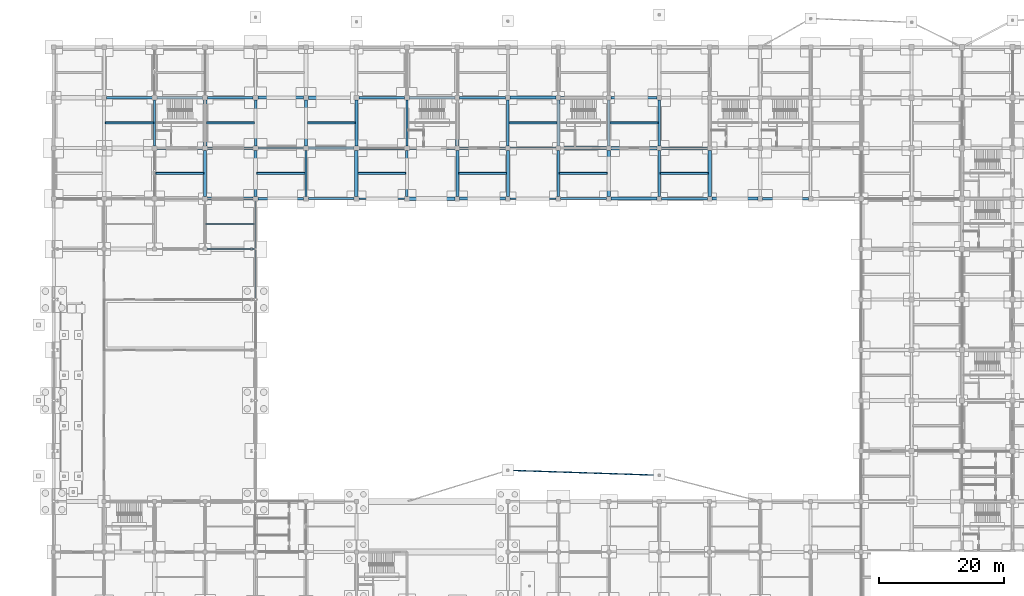
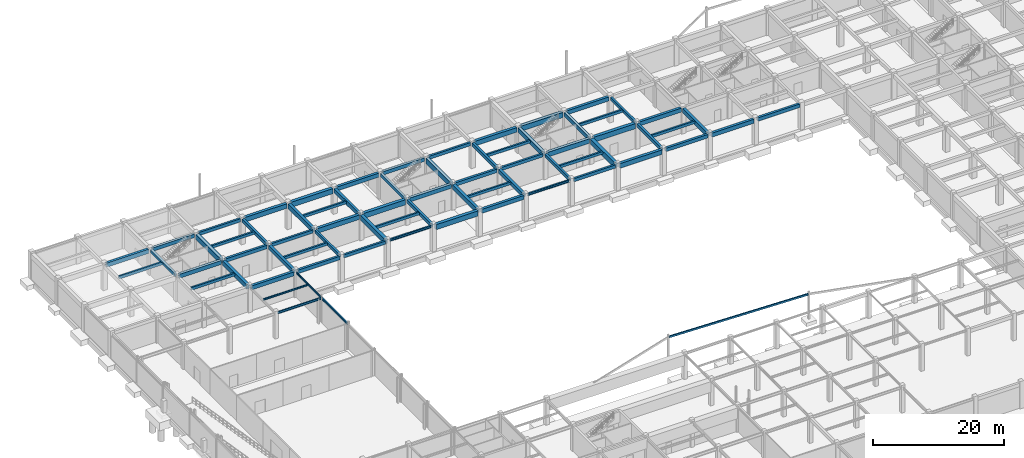
# One storey, part 39 of 67: 72 beams.
"""IFC4 building model written with IfcOpenShell, lengths in metres."""

from ifc_helpers import new_model, si_unit, direction, frame, origin, origin_2d, place, context, subcontext, project, spatial, rectangle, hollow_rectangle, i_section, extrude, material, material_profile, profile_set, type_object, element, save


model = new_model("IFC4")

# Units and contexts
model_context = context("Model", 3, precision=1e-05, world=origin(), true_north=direction((0.0, 1.0)))
body_context = subcontext(model_context, "Body", "Model", "MODEL_VIEW")
ifc_project = project(units=[si_unit("LENGTHUNIT", "METRE"), si_unit("AREAUNIT", "SQUARE_METRE"), si_unit("VOLUMEUNIT", "CUBIC_METRE"), si_unit("PLANEANGLEUNIT", "RADIAN"), si_unit("MASSUNIT", "GRAM", prefix="KILO")], contexts=[model_context])

# Site, building, storey
site_placement = place(None, origin())
site = spatial("IfcSite", under=ifc_project, at=site_placement, CompositionType="ELEMENT")
building_placement = place(site_placement, origin())
building = spatial("IfcBuilding", under=site, at=building_placement, Name="Vaudrelin Polytechnic", CompositionType="ELEMENT")
storey_placement = place(building_placement, frame((0.0, 0.0, -5.10009765625)))
storey = spatial("IfcBuildingStorey", under=building, at=storey_placement, Name="B1", CompositionType="ELEMENT", Elevation=-5.10009765625)

# Beams
ifc_material_1 = material(Name="Concrete 40 MPa", Category="concrete")
ifc_material_profile_1 = material_profile(ifc_material_1, rectangle(XDim=0.35009765625, YDim=0.60009765625, at=origin_2d()), Name="RC350x600")
ifc_profile_set_1 = profile_set([ifc_material_profile_1], Name="Concrete 40 MPa")
beam_type_1 = type_object("IfcBeamType", Name="BM-BM-RC3560", PredefinedType="BEAM", material=ifc_profile_set_1)
beam_1_placement = place(storey_placement, frame((16.199951171875, 105.659912109375, 4.47998046875), z_axis=(0.0, 1.0, 0.0), x_axis=(-1.0, 0.0, 0.0)))
element("IfcBeam", 1, at=beam_1_placement, inside=storey, type_object=beam_type_1, Name="B1 Y-beam 3-14", PredefinedType="BEAM", context=body_context, shape_type="SweptSolid", body=[
    extrude(rectangle(XDim=0.35009765625, YDim=0.60009765625, at=origin_2d()), origin(), (0.0, 0.0, 1.0), 7.380126953125),
])
beam_2_placement = place(storey_placement, frame((40.5, 97.56005859375, 4.47998046875), z_axis=(0.0, 1.0, 0.0), x_axis=(-1.0, 0.0, 0.0)))
element("IfcBeam", 2, at=beam_2_placement, inside=storey, type_object=beam_type_1, Name="B1 Y-beam 6-13", PredefinedType="BEAM", context=body_context, shape_type="SweptSolid", body=[
    extrude(rectangle(XDim=0.35009765625, YDim=0.60009765625, at=origin_2d()), origin(), (0.0, 0.0, 1.0), 7.3798828125),
])
beam_3_placement = place(storey_placement, frame((56.699951171875, 105.659912109375, 4.47998046875), z_axis=(0.0, 1.0, 0.0), x_axis=(-1.0, 0.0, 0.0)))
element("IfcBeam", 3, at=beam_3_placement, inside=storey, type_object=beam_type_1, Name="B1 Y-beam 8-14", PredefinedType="BEAM", context=body_context, shape_type="SweptSolid", body=[
    extrude(rectangle(XDim=0.35009765625, YDim=0.60009765625, at=origin_2d()), origin(), (0.0, 0.0, 1.0), 7.380126953125),
])
beam_4_placement = place(storey_placement, frame((81.0, 97.56005859375, 4.47998046875), z_axis=(0.0, 1.0, 0.0), x_axis=(-1.0, 0.0, 0.0)))
element("IfcBeam", 4, at=beam_4_placement, inside=storey, type_object=beam_type_1, Name="B1 Y-beam 11-13", PredefinedType="BEAM", context=body_context, shape_type="SweptSolid", body=[
    extrude(rectangle(XDim=0.35009765625, YDim=0.60009765625, at=origin_2d()), origin(), (0.0, 0.0, 1.0), 7.3798828125),
])
beam_5_placement = place(storey_placement, frame((97.199951171875, 105.659912109375, 4.47998046875), z_axis=(0.0, 1.0, 0.0), x_axis=(-1.0, 0.0, 0.0)))
element("IfcBeam", 5, at=beam_5_placement, inside=storey, type_object=beam_type_1, Name="B1 Y-beam 13-14", PredefinedType="BEAM", context=body_context, shape_type="SweptSolid", body=[
    extrude(rectangle(XDim=0.35009765625, YDim=0.60009765625, at=origin_2d()), origin(), (0.0, 0.0, 1.0), 7.380126953125),
])
beam_6_placement = place(storey_placement, frame((24.6708984375, 113.39990234375, 4.47998046875), z_axis=(1.0, 0.0, 0.0), x_axis=(0.0, 1.0, 0.0)))
element("IfcBeam", 6, at=beam_6_placement, inside=storey, type_object=beam_type_1, Name="B1 X-beam 4-15", PredefinedType="BEAM", context=body_context, shape_type="SweptSolid", body=[
    extrude(rectangle(XDim=0.35009765625, YDim=0.60009765625, at=origin_2d()), origin(), (0.0, 0.0, 1.0), 7.358154296875),
])
for number, where, z_axis, x_axis, name in (
    (7, (32.77099609375, 105.300048828125, 4.47998046875), (1.0, 0.0, 0.0), (0.0, 1.0, 0.0), "B1 X-beam 5-14"),
    (8, (40.87109375, 97.199951171875, 4.47998046875), (1.0, 0.0, 0.0), (0.0, 1.0, 0.0), "B1 X-beam 6-13"),
):
    element("IfcBeam", number, at=place(storey_placement, frame(where, z_axis=z_axis, x_axis=x_axis)), inside=storey, type_object=beam_type_1, Name=name, PredefinedType="BEAM", context=body_context, shape_type="SweptSolid", body=[
        extrude(rectangle(XDim=0.35009765625, YDim=0.60009765625, at=origin_2d()), origin(), (0.0, 0.0, 1.0), 7.35791015625),
    ])
beam_7_placement = place(storey_placement, frame((65.1708984375, 113.39990234375, 4.47998046875), z_axis=(1.0, 0.0, 0.0), x_axis=(0.0, 1.0, 0.0)))
element("IfcBeam", 9, at=beam_7_placement, inside=storey, type_object=beam_type_1, Name="B1 X-beam 9-15", PredefinedType="BEAM", context=body_context, shape_type="SweptSolid", body=[
    extrude(rectangle(XDim=0.35009765625, YDim=0.60009765625, at=origin_2d()), origin(), (0.0, 0.0, 1.0), 7.358154296875),
])
for number, where, z_axis, x_axis, name in (
    (10, (73.27099609375, 105.300048828125, 4.47998046875), (1.0, 0.0, 0.0), (0.0, 1.0, 0.0), "B1 X-beam 10-14"),
    (11, (81.37109375, 97.199951171875, 4.47998046875), (1.0, 0.0, 0.0), (0.0, 1.0, 0.0), "B1 X-beam 11-13"),
):
    element("IfcBeam", number, at=place(storey_placement, frame(where, z_axis=z_axis, x_axis=x_axis)), inside=storey, type_object=beam_type_1, Name=name, PredefinedType="BEAM", context=body_context, shape_type="SweptSolid", body=[
        extrude(rectangle(XDim=0.35009765625, YDim=0.60009765625, at=origin_2d()), origin(), (0.0, 0.0, 1.0), 7.35791015625),
    ])
ifc_material_profile_2 = material_profile(ifc_material_1, rectangle(XDim=0.39990234375, YDim=0.64990234375, at=origin_2d()), Name="RC400x650")
ifc_profile_set_2 = profile_set([ifc_material_profile_2], Name="Concrete 40 MPa")
beam_type_2 = type_object("IfcBeamType", Name="BM-BM-RC4065", PredefinedType="BEAM", material=ifc_profile_set_2)
beam_8_placement = place(storey_placement, frame((32.39990234375, 105.659912109375, 4.455078125), z_axis=(0.0, 1.0, 0.0), x_axis=(-1.0, 0.0, 0.0)))
element("IfcBeam", 12, at=beam_8_placement, inside=storey, type_object=beam_type_2, Name="B1 Y-beam 5-14", PredefinedType="BEAM", context=body_context, shape_type="SweptSolid", body=[
    extrude(rectangle(XDim=0.39990234375, YDim=0.64990234375, at=origin_2d()), origin(), (0.0, 0.0, 1.0), 7.380126953125),
])
beam_9_placement = place(storey_placement, frame((56.699951171875, 97.56005859375, 4.455078125), z_axis=(0.0, 1.0, 0.0), x_axis=(-1.0, 0.0, 0.0)))
element("IfcBeam", 13, at=beam_9_placement, inside=storey, type_object=beam_type_2, Name="B1 Y-beam 8-13", PredefinedType="BEAM", context=body_context, shape_type="SweptSolid", body=[
    extrude(rectangle(XDim=0.39990234375, YDim=0.64990234375, at=origin_2d()), origin(), (0.0, 0.0, 1.0), 7.3798828125),
])
beam_10_placement = place(storey_placement, frame((72.89990234375, 105.659912109375, 4.455078125), z_axis=(0.0, 1.0, 0.0), x_axis=(-1.0, 0.0, 0.0)))
element("IfcBeam", 14, at=beam_10_placement, inside=storey, type_object=beam_type_2, Name="B1 Y-beam 10-14", PredefinedType="BEAM", context=body_context, shape_type="SweptSolid", body=[
    extrude(rectangle(XDim=0.39990234375, YDim=0.64990234375, at=origin_2d()), origin(), (0.0, 0.0, 1.0), 7.380126953125),
])
beam_11_placement = place(storey_placement, frame((97.199951171875, 97.56005859375, 4.455078125), z_axis=(0.0, 1.0, 0.0), x_axis=(-1.0, 0.0, 0.0)))
element("IfcBeam", 15, at=beam_11_placement, inside=storey, type_object=beam_type_2, Name="B1 Y-beam 13-13", PredefinedType="BEAM", context=body_context, shape_type="SweptSolid", body=[
    extrude(rectangle(XDim=0.39990234375, YDim=0.64990234375, at=origin_2d()), origin(), (0.0, 0.0, 1.0), 7.3798828125),
])
beam_12_placement = place(storey_placement, frame((16.571044921875, 113.39990234375, 4.455078125), z_axis=(1.0, 0.0, 0.0), x_axis=(0.0, 1.0, 0.0)))
element("IfcBeam", 16, at=beam_12_placement, inside=storey, type_object=beam_type_2, Name="B1 X-beam 3-15", PredefinedType="BEAM", context=body_context, shape_type="SweptSolid", body=[
    extrude(rectangle(XDim=0.39990234375, YDim=0.64990234375, at=origin_2d()), origin(), (0.0, 0.0, 1.0), 7.35791015625),
])
beam_13_placement = place(storey_placement, frame((24.6708984375, 105.300048828125, 4.455078125), z_axis=(1.0, 0.0, 0.0), x_axis=(0.0, 1.0, 0.0)))
element("IfcBeam", 17, at=beam_13_placement, inside=storey, type_object=beam_type_2, Name="B1 X-beam 4-14", PredefinedType="BEAM", context=body_context, shape_type="SweptSolid", body=[
    extrude(rectangle(XDim=0.39990234375, YDim=0.64990234375, at=origin_2d()), origin(), (0.0, 0.0, 1.0), 7.358154296875),
])
for number, where, z_axis, x_axis, name in (
    (18, (32.77099609375, 97.199951171875, 4.455078125), (1.0, 0.0, 0.0), (0.0, 1.0, 0.0), "B1 X-beam 5-13"),
    (19, (57.071044921875, 113.39990234375, 4.455078125), (1.0, 0.0, 0.0), (0.0, 1.0, 0.0), "B1 X-beam 8-15"),
):
    element("IfcBeam", number, at=place(storey_placement, frame(where, z_axis=z_axis, x_axis=x_axis)), inside=storey, type_object=beam_type_2, Name=name, PredefinedType="BEAM", context=body_context, shape_type="SweptSolid", body=[
        extrude(rectangle(XDim=0.39990234375, YDim=0.64990234375, at=origin_2d()), origin(), (0.0, 0.0, 1.0), 7.35791015625),
    ])
beam_14_placement = place(storey_placement, frame((65.1708984375, 105.300048828125, 4.455078125), z_axis=(1.0, 0.0, 0.0), x_axis=(0.0, 1.0, 0.0)))
element("IfcBeam", 20, at=beam_14_placement, inside=storey, type_object=beam_type_2, Name="B1 X-beam 9-14", PredefinedType="BEAM", context=body_context, shape_type="SweptSolid", body=[
    extrude(rectangle(XDim=0.39990234375, YDim=0.64990234375, at=origin_2d()), origin(), (0.0, 0.0, 1.0), 7.358154296875),
])
beam_15_placement = place(storey_placement, frame((113.77099609375, 97.199951171875, 4.455078125), z_axis=(1.0, 0.0, 0.0), x_axis=(0.0, 1.0, 0.0)))
element("IfcBeam", 21, at=beam_15_placement, inside=storey, type_object=beam_type_2, Name="B1 X-beam 15-13", PredefinedType="BEAM", context=body_context, shape_type="SweptSolid", body=[
    extrude(rectangle(XDim=0.39990234375, YDim=0.64990234375, at=origin_2d()), origin(), (0.0, 0.0, 1.0), 7.35791015625),
])
ifc_material_profile_3 = material_profile(ifc_material_1, rectangle(XDim=0.449951171875, YDim=0.75, at=origin_2d()), Name="RC450x750")
ifc_profile_set_3 = profile_set([ifc_material_profile_3], Name="Concrete 40 MPa")
beam_type_3 = type_object("IfcBeamType", Name="BM-BM-RC4575", PredefinedType="BEAM", material=ifc_profile_set_3)
beam_16_placement = place(storey_placement, frame((32.39990234375, 97.56005859375, 4.405029296875), z_axis=(0.0, 1.0, 0.0), x_axis=(-1.0, 0.0, 0.0)))
element("IfcBeam", 22, at=beam_16_placement, inside=storey, type_object=beam_type_3, Name="B1 Y-beam 5-13", PredefinedType="BEAM", context=body_context, shape_type="SweptSolid", body=[
    extrude(rectangle(XDim=0.449951171875, YDim=0.75, at=origin_2d()), origin(), (0.0, 0.0, 1.0), 7.3798828125),
])
beam_17_placement = place(storey_placement, frame((48.60009765625, 105.659912109375, 4.405029296875), z_axis=(0.0, 1.0, 0.0), x_axis=(-1.0, 0.0, 0.0)))
element("IfcBeam", 23, at=beam_17_placement, inside=storey, type_object=beam_type_3, Name="B1 Y-beam 7-14", PredefinedType="BEAM", context=body_context, shape_type="SweptSolid", body=[
    extrude(rectangle(XDim=0.449951171875, YDim=0.75, at=origin_2d()), origin(), (0.0, 0.0, 1.0), 7.380126953125),
])
beam_18_placement = place(storey_placement, frame((72.89990234375, 97.56005859375, 4.405029296875), z_axis=(0.0, 1.0, 0.0), x_axis=(-1.0, 0.0, 0.0)))
element("IfcBeam", 24, at=beam_18_placement, inside=storey, type_object=beam_type_3, Name="B1 Y-beam 10-13", PredefinedType="BEAM", context=body_context, shape_type="SweptSolid", body=[
    extrude(rectangle(XDim=0.449951171875, YDim=0.75, at=origin_2d()), origin(), (0.0, 0.0, 1.0), 7.3798828125),
])
beam_19_placement = place(storey_placement, frame((89.10009765625, 105.659912109375, 4.405029296875), z_axis=(0.0, 1.0, 0.0), x_axis=(-1.0, 0.0, 0.0)))
element("IfcBeam", 25, at=beam_19_placement, inside=storey, type_object=beam_type_3, Name="B1 Y-beam 12-14", PredefinedType="BEAM", context=body_context, shape_type="SweptSolid", body=[
    extrude(rectangle(XDim=0.449951171875, YDim=0.75, at=origin_2d()), origin(), (0.0, 0.0, 1.0), 7.380126953125),
])
beam_20_placement = place(storey_placement, frame((8.470947265625, 113.39990234375, 4.405029296875), z_axis=(1.0, 0.0, 0.0), x_axis=(0.0, 1.0, 0.0)))
element("IfcBeam", 26, at=beam_20_placement, inside=storey, type_object=beam_type_3, Name="B1 X-beam 2-15", PredefinedType="BEAM", context=body_context, shape_type="SweptSolid", body=[
    extrude(rectangle(XDim=0.449951171875, YDim=0.75, at=origin_2d()), origin(), (0.0, 0.0, 1.0), 7.358154296875),
])
beam_21_placement = place(storey_placement, frame((16.571044921875, 105.300048828125, 4.405029296875), z_axis=(1.0, 0.0, 0.0), x_axis=(0.0, 1.0, 0.0)))
element("IfcBeam", 27, at=beam_21_placement, inside=storey, type_object=beam_type_3, Name="B1 X-beam 3-14", PredefinedType="BEAM", context=body_context, shape_type="SweptSolid", body=[
    extrude(rectangle(XDim=0.449951171875, YDim=0.75, at=origin_2d()), origin(), (0.0, 0.0, 1.0), 7.35791015625),
])
for number, where, z_axis, x_axis, name in (
    (28, (24.6708984375, 97.199951171875, 4.34521484375), (1.0, 0.0, 0.0), (0.0, 1.0, 0.0), "B1 X-beam 4-13"),
    (29, (48.970947265625, 113.39990234375, 4.405029296875), (1.0, 0.0, 0.0), (0.0, 1.0, 0.0), "B1 X-beam 7-15"),
):
    element("IfcBeam", number, at=place(storey_placement, frame(where, z_axis=z_axis, x_axis=x_axis)), inside=storey, type_object=beam_type_3, Name=name, PredefinedType="BEAM", context=body_context, shape_type="SweptSolid", body=[
        extrude(rectangle(XDim=0.449951171875, YDim=0.75, at=origin_2d()), origin(), (0.0, 0.0, 1.0), 7.358154296875),
    ])
beam_22_placement = place(storey_placement, frame((57.071044921875, 105.300048828125, 4.405029296875), z_axis=(1.0, 0.0, 0.0), x_axis=(0.0, 1.0, 0.0)))
element("IfcBeam", 30, at=beam_22_placement, inside=storey, type_object=beam_type_3, Name="B1 X-beam 8-14", PredefinedType="BEAM", context=body_context, shape_type="SweptSolid", body=[
    extrude(rectangle(XDim=0.449951171875, YDim=0.75, at=origin_2d()), origin(), (0.0, 0.0, 1.0), 7.35791015625),
])
for number, where, z_axis, x_axis, name in (
    (31, (65.1708984375, 97.199951171875, 4.405029296875), (1.0, 0.0, 0.0), (0.0, 1.0, 0.0), "B1 X-beam 9-13"),
    (32, (89.470947265625, 113.39990234375, 4.405029296875), (1.0, 0.0, 0.0), (0.0, 1.0, 0.0), "B1 X-beam 12-15"),
):
    element("IfcBeam", number, at=place(storey_placement, frame(where, z_axis=z_axis, x_axis=x_axis)), inside=storey, type_object=beam_type_3, Name=name, PredefinedType="BEAM", context=body_context, shape_type="SweptSolid", body=[
        extrude(rectangle(XDim=0.449951171875, YDim=0.75, at=origin_2d()), origin(), (0.0, 0.0, 1.0), 7.358154296875),
    ])
beam_23_placement = place(storey_placement, frame((97.571044921875, 105.300048828125, 4.405029296875), z_axis=(1.0, 0.0, 0.0), x_axis=(0.0, 1.0, 0.0)))
element("IfcBeam", 33, at=beam_23_placement, inside=storey, type_object=beam_type_3, Name="B1 X-beam 13-14", PredefinedType="BEAM", context=body_context, shape_type="SweptSolid", body=[
    extrude(rectangle(XDim=0.449951171875, YDim=0.75, at=origin_2d()), origin(), (0.0, 0.0, 1.0), 7.35791015625),
])
beam_24_placement = place(storey_placement, frame((105.6708984375, 97.199951171875, 4.405029296875), z_axis=(1.0, 0.0, 0.0), x_axis=(0.0, 1.0, 0.0)))
element("IfcBeam", 34, at=beam_24_placement, inside=storey, type_object=beam_type_3, Name="B1 X-beam 14-13", PredefinedType="BEAM", context=body_context, shape_type="SweptSolid", body=[
    extrude(rectangle(XDim=0.449951171875, YDim=0.75, at=origin_2d()), origin(), (0.0, 0.0, 1.0), 7.358154296875),
])
ifc_material_profile_4 = material_profile(ifc_material_1, rectangle(XDim=0.5, YDim=0.85009765625, at=origin_2d()), Name="RC500x850")
ifc_profile_set_4 = profile_set([ifc_material_profile_4], Name="Concrete 40 MPa")
beam_type_4 = type_object("IfcBeamType", Name="BM-BM-RC5085", PredefinedType="BEAM", material=ifc_profile_set_4)
beam_25_placement = place(storey_placement, frame((24.300048828125, 97.56005859375, 4.35498046875), z_axis=(0.0, 1.0, 0.0), x_axis=(-1.0, 0.0, 0.0)))
element("IfcBeam", 35, at=beam_25_placement, inside=storey, type_object=beam_type_4, Name="B1 Y-beam 4-13", PredefinedType="BEAM", context=body_context, shape_type="SweptSolid", body=[
    extrude(rectangle(XDim=0.5, YDim=0.85009765625, at=origin_2d()), origin(), (0.0, 0.0, 1.0), 7.3798828125),
])
beam_26_placement = place(storey_placement, frame((40.5, 105.659912109375, 4.35498046875), z_axis=(0.0, 1.0, 0.0), x_axis=(-1.0, 0.0, 0.0)))
element("IfcBeam", 36, at=beam_26_placement, inside=storey, type_object=beam_type_4, Name="B1 Y-beam 6-14", PredefinedType="BEAM", context=body_context, shape_type="SweptSolid", body=[
    extrude(rectangle(XDim=0.5, YDim=0.85009765625, at=origin_2d()), origin(), (0.0, 0.0, 1.0), 7.380126953125),
])
beam_27_placement = place(storey_placement, frame((64.800048828125, 97.56005859375, 4.35498046875), z_axis=(0.0, 1.0, 0.0), x_axis=(-1.0, 0.0, 0.0)))
element("IfcBeam", 37, at=beam_27_placement, inside=storey, type_object=beam_type_4, Name="B1 Y-beam 9-13", PredefinedType="BEAM", context=body_context, shape_type="SweptSolid", body=[
    extrude(rectangle(XDim=0.5, YDim=0.85009765625, at=origin_2d()), origin(), (0.0, 0.0, 1.0), 7.3798828125),
])
beam_28_placement = place(storey_placement, frame((81.0, 105.659912109375, 4.35498046875), z_axis=(0.0, 1.0, 0.0), x_axis=(-1.0, 0.0, 0.0)))
element("IfcBeam", 38, at=beam_28_placement, inside=storey, type_object=beam_type_4, Name="B1 Y-beam 11-14", PredefinedType="BEAM", context=body_context, shape_type="SweptSolid", body=[
    extrude(rectangle(XDim=0.5, YDim=0.85009765625, at=origin_2d()), origin(), (0.0, 0.0, 1.0), 7.380126953125),
])
beam_29_placement = place(storey_placement, frame((105.300048828125, 97.56005859375, 4.35498046875), z_axis=(0.0, 1.0, 0.0), x_axis=(-1.0, 0.0, 0.0)))
element("IfcBeam", 39, at=beam_29_placement, inside=storey, type_object=beam_type_4, Name="B1 Y-beam 14-13", PredefinedType="BEAM", context=body_context, shape_type="SweptSolid", body=[
    extrude(rectangle(XDim=0.5, YDim=0.85009765625, at=origin_2d()), origin(), (0.0, 0.0, 1.0), 7.3798828125),
])
for number, where, z_axis, x_axis, name in (
    (40, (32.77099609375, 113.39990234375, 4.35498046875), (1.0, 0.0, 0.0), (0.0, 1.0, 0.0), "B1 X-beam 5-15"),
    (41, (40.87109375, 105.300048828125, 4.35498046875), (1.0, 0.0, 0.0), (0.0, 1.0, 0.0), "B1 X-beam 6-14"),
    (42, (73.27099609375, 113.39990234375, 4.35498046875), (1.0, 0.0, 0.0), (0.0, 1.0, 0.0), "B1 X-beam 10-15"),
    (43, (81.37109375, 105.300048828125, 4.35498046875), (1.0, 0.0, 0.0), (0.0, 1.0, 0.0), "B1 X-beam 11-14"),
):
    element("IfcBeam", number, at=place(storey_placement, frame(where, z_axis=z_axis, x_axis=x_axis)), inside=storey, type_object=beam_type_4, Name=name, PredefinedType="BEAM", context=body_context, shape_type="SweptSolid", body=[
        extrude(rectangle(XDim=0.5, YDim=0.85009765625, at=origin_2d()), origin(), (0.0, 0.0, 1.0), 7.35791015625),
    ])
beam_30_placement = place(storey_placement, frame((89.470947265625, 97.199951171875, 4.35498046875), z_axis=(1.0, 0.0, 0.0), x_axis=(0.0, 1.0, 0.0)))
element("IfcBeam", 44, at=beam_30_placement, inside=storey, type_object=beam_type_4, Name="B1 X-beam 12-13", PredefinedType="BEAM", context=body_context, shape_type="SweptSolid", body=[
    extrude(rectangle(XDim=0.5, YDim=0.85009765625, at=origin_2d()), origin(), (0.0, 0.0, 1.0), 7.358154296875),
])
ifc_material_2 = material(Name="Concrete 50 MPa", Category="concrete")
ifc_material_profile_5 = material_profile(ifc_material_2, rectangle(XDim=0.550048828125, YDim=0.949951171875, at=origin_2d()), Name="RC550x950")
ifc_profile_set_5 = profile_set([ifc_material_profile_5], Name="Concrete 50 MPa")
beam_type_5 = type_object("IfcBeamType", Name="BM-BM-RC5595", PredefinedType="BEAM", material=ifc_profile_set_5)
beam_31_placement = place(storey_placement, frame((24.300048828125, 105.659912109375, 4.30517578125), z_axis=(0.0, 1.0, 0.0), x_axis=(-1.0, 0.0, 0.0)))
element("IfcBeam", 45, at=beam_31_placement, inside=storey, type_object=beam_type_5, Name="B1 Y-beam 4-14", PredefinedType="BEAM", context=body_context, shape_type="SweptSolid", body=[
    extrude(rectangle(XDim=0.550048828125, YDim=0.949951171875, at=origin_2d()), origin(), (0.0, 0.0, 1.0), 7.380126953125),
])
beam_32_placement = place(storey_placement, frame((48.60009765625, 97.56005859375, 4.30517578125), z_axis=(0.0, 1.0, 0.0), x_axis=(-1.0, 0.0, 0.0)))
element("IfcBeam", 46, at=beam_32_placement, inside=storey, type_object=beam_type_5, Name="B1 Y-beam 7-13", PredefinedType="BEAM", context=body_context, shape_type="SweptSolid", body=[
    extrude(rectangle(XDim=0.550048828125, YDim=0.949951171875, at=origin_2d()), origin(), (0.0, 0.0, 1.0), 7.3798828125),
])
beam_33_placement = place(storey_placement, frame((64.800048828125, 105.659912109375, 4.30517578125), z_axis=(0.0, 1.0, 0.0), x_axis=(-1.0, 0.0, 0.0)))
element("IfcBeam", 47, at=beam_33_placement, inside=storey, type_object=beam_type_5, Name="B1 Y-beam 9-14", PredefinedType="BEAM", context=body_context, shape_type="SweptSolid", body=[
    extrude(rectangle(XDim=0.550048828125, YDim=0.949951171875, at=origin_2d()), origin(), (0.0, 0.0, 1.0), 7.380126953125),
])
beam_34_placement = place(storey_placement, frame((89.10009765625, 97.56005859375, 4.30517578125), z_axis=(0.0, 1.0, 0.0), x_axis=(-1.0, 0.0, 0.0)))
element("IfcBeam", 48, at=beam_34_placement, inside=storey, type_object=beam_type_5, Name="B1 Y-beam 12-13", PredefinedType="BEAM", context=body_context, shape_type="SweptSolid", body=[
    extrude(rectangle(XDim=0.550048828125, YDim=0.949951171875, at=origin_2d()), origin(), (0.0, 0.0, 1.0), 7.3798828125),
])
beam_35_placement = place(storey_placement, frame((40.87109375, 113.39990234375, 4.30517578125), z_axis=(1.0, 0.0, 0.0), x_axis=(0.0, 1.0, 0.0)))
element("IfcBeam", 49, at=beam_35_placement, inside=storey, type_object=beam_type_5, Name="B1 X-beam 6-15", PredefinedType="BEAM", context=body_context, shape_type="SweptSolid", body=[
    extrude(rectangle(XDim=0.550048828125, YDim=0.949951171875, at=origin_2d()), origin(), (0.0, 0.0, 1.0), 7.35791015625),
])
beam_36_placement = place(storey_placement, frame((48.970947265625, 105.300048828125, 4.30517578125), z_axis=(1.0, 0.0, 0.0), x_axis=(0.0, 1.0, 0.0)))
element("IfcBeam", 50, at=beam_36_placement, inside=storey, type_object=beam_type_5, Name="B1 X-beam 7-14", PredefinedType="BEAM", context=body_context, shape_type="SweptSolid", body=[
    extrude(rectangle(XDim=0.550048828125, YDim=0.949951171875, at=origin_2d()), origin(), (0.0, 0.0, 1.0), 7.358154296875),
])
for number, where, z_axis, x_axis, name in (
    (51, (57.071044921875, 97.199951171875, 4.30517578125), (1.0, 0.0, 0.0), (0.0, 1.0, 0.0), "B1 X-beam 8-13"),
    (52, (81.37109375, 113.39990234375, 4.30517578125), (1.0, 0.0, 0.0), (0.0, 1.0, 0.0), "B1 X-beam 11-15"),
):
    element("IfcBeam", number, at=place(storey_placement, frame(where, z_axis=z_axis, x_axis=x_axis)), inside=storey, type_object=beam_type_5, Name=name, PredefinedType="BEAM", context=body_context, shape_type="SweptSolid", body=[
        extrude(rectangle(XDim=0.550048828125, YDim=0.949951171875, at=origin_2d()), origin(), (0.0, 0.0, 1.0), 7.35791015625),
    ])
beam_37_placement = place(storey_placement, frame((89.470947265625, 105.300048828125, 4.30517578125), z_axis=(1.0, 0.0, 0.0), x_axis=(0.0, 1.0, 0.0)))
element("IfcBeam", 53, at=beam_37_placement, inside=storey, type_object=beam_type_5, Name="B1 X-beam 12-14", PredefinedType="BEAM", context=body_context, shape_type="SweptSolid", body=[
    extrude(rectangle(XDim=0.550048828125, YDim=0.949951171875, at=origin_2d()), origin(), (0.0, 0.0, 1.0), 7.358154296875),
])
ifc_material_3 = material(Name="Steel CSA G40.21 350W", Category="steel")
ifc_material_profile_6 = material_profile(ifc_material_3, i_section(OverallWidth=0.178955078125, OverallDepth=0.409912109375, WebThickness=0.0087890625, FlangeThickness=0.014404296875, FilletRadius=0.01611328125, at=origin_2d()), Name="W410x67")
ifc_profile_set_6 = profile_set([ifc_material_profile_6], Name="Steel CSA G40.21 350W")
beam_type_6 = type_object("IfcBeamType", Name="BM-BM-W410", PredefinedType="BEAM", material=ifc_profile_set_6)
beam_38_placement = place(storey_placement, frame((32.39990234375, 81.239013671875, 4.51513671875), z_axis=(0.0, 1.0, 0.0), x_axis=(-1.0, 0.0, 0.0)))
element("IfcBeam", 54, at=beam_38_placement, inside=storey, type_object=beam_type_6, Name="B1 Y-beam 5-11", PredefinedType="BEAM", context=body_context, shape_type="SweptSolid", body=[
    extrude(i_section(OverallWidth=0.178955078125, OverallDepth=0.409912109375, WebThickness=0.0087890625, FlangeThickness=0.014404296875, FilletRadius=0.01611328125, at=origin_2d()), origin(), (0.0, 0.0, 1.0), 7.699462890625),
])
beam_39_placement = place(storey_placement, frame((24.62109375, 89.10009765625, 4.51513671875), z_axis=(1.0, 0.0, 0.0), x_axis=(0.0, 1.0, 0.0)))
element("IfcBeam", 55, at=beam_39_placement, inside=storey, type_object=beam_type_6, Name="B1 X-beam 4-12", PredefinedType="BEAM", context=body_context, shape_type="SweptSolid", body=[
    extrude(i_section(OverallWidth=0.178955078125, OverallDepth=0.409912109375, WebThickness=0.0087890625, FlangeThickness=0.014404296875, FilletRadius=0.01611328125, at=origin_2d()), origin(), (0.0, 0.0, 1.0), 7.656005859375),
])
ifc_material_4 = material(Name="Steel CSA G40.21 350WT", Category="steel")
ifc_material_profile_7 = material_profile(ifc_material_4, i_section(OverallWidth=0.260009765625, OverallDepth=0.4150390625, WebThickness=0.010009765625, FlangeThickness=0.016845703125, FilletRadius=0.01611328125, at=origin_2d()), Name="W410x100")
ifc_profile_set_7 = profile_set([ifc_material_profile_7], Name="Steel CSA G40.21 350WT")
beam_type_7 = type_object("IfcBeamType", Name="BM-BM-W410H", PredefinedType="SPANDREL", material=ifc_profile_set_7)
beam_40_placement = place(storey_placement, frame((48.970947265625, 97.199951171875, 4.572509765625), z_axis=(1.0, 0.0, 0.0), x_axis=(0.0, 1.0, 0.0)))
element("IfcBeam", 56, at=beam_40_placement, inside=storey, type_object=beam_type_7, Name="B1 X-beam 7-13", PredefinedType="SPANDREL", context=body_context, shape_type="SweptSolid", body=[
    extrude(i_section(OverallWidth=0.260009765625, OverallDepth=0.4150390625, WebThickness=0.010009765625, FlangeThickness=0.016845703125, FilletRadius=0.01611328125, at=origin_2d()), origin(), (0.0, 0.0, 1.0), 7.358154296875),
])
beam_41_placement = place(storey_placement, frame((73.27099609375, 97.199951171875, 4.572509765625), z_axis=(1.0, 0.0, 0.0), x_axis=(0.0, 1.0, 0.0)))
element("IfcBeam", 57, at=beam_41_placement, inside=storey, type_object=beam_type_7, Name="B1 X-beam 10-13", PredefinedType="SPANDREL", context=body_context, shape_type="SweptSolid", body=[
    extrude(i_section(OverallWidth=0.260009765625, OverallDepth=0.4150390625, WebThickness=0.010009765625, FlangeThickness=0.016845703125, FilletRadius=0.01611328125, at=origin_2d()), origin(), (0.0, 0.0, 1.0), 7.35791015625),
])
ifc_material_profile_8 = material_profile(ifc_material_1, rectangle(XDim=0.300048828125, YDim=0.5, at=origin_2d()), Name="RC300x500")
ifc_profile_set_8 = profile_set([ifc_material_profile_8], Name="Concrete 40 MPa")
beam_type_8 = type_object("IfcBeamType", Name="BM-JS-RC3050", PredefinedType="JOIST", material=ifc_profile_set_8)
beam_42_placement = place(storey_placement, frame((8.321044921875, 109.35009765625, 4.530029296875), z_axis=(1.0, 0.0, 0.0), x_axis=(0.0, 1.0, 0.0)))
element("IfcBeam", 58, at=beam_42_placement, inside=storey, type_object=beam_type_8, Name="B1 floor joist 2-14", PredefinedType="JOIST", context=body_context, shape_type="SweptSolid", body=[
    extrude(rectangle(XDim=0.300048828125, YDim=0.5, at=origin_2d()), origin(), (0.0, 0.0, 1.0), 7.7080078125),
])
beam_43_placement = place(storey_placement, frame((16.39599609375, 101.25, 4.530029296875), z_axis=(1.0, 0.0, 0.0), x_axis=(0.0, 1.0, 0.0)))
element("IfcBeam", 59, at=beam_43_placement, inside=storey, type_object=beam_type_8, Name="B1 floor joist 3-13", PredefinedType="JOIST", context=body_context, shape_type="SweptSolid", body=[
    extrude(rectangle(XDim=0.300048828125, YDim=0.5, at=origin_2d()), origin(), (0.0, 0.0, 1.0), 7.657958984375),
])
beam_44_placement = place(storey_placement, frame((24.571044921875, 109.35009765625, 4.530029296875), z_axis=(1.0, 0.0, 0.0), x_axis=(0.0, 1.0, 0.0)))
element("IfcBeam", 60, at=beam_44_placement, inside=storey, type_object=beam_type_8, Name="B1 floor joist 4-14", PredefinedType="JOIST", context=body_context, shape_type="SweptSolid", body=[
    extrude(rectangle(XDim=0.300048828125, YDim=0.5, at=origin_2d()), origin(), (0.0, 0.0, 1.0), 7.633056640625),
])
beam_45_placement = place(storey_placement, frame((32.62109375, 101.25, 4.530029296875), z_axis=(1.0, 0.0, 0.0), x_axis=(0.0, 1.0, 0.0)))
element("IfcBeam", 61, at=beam_45_placement, inside=storey, type_object=beam_type_8, Name="B1 floor joist 5-13", PredefinedType="JOIST", context=body_context, shape_type="SweptSolid", body=[
    extrude(rectangle(XDim=0.300048828125, YDim=0.5, at=origin_2d()), origin(), (0.0, 0.0, 1.0), 7.7080078125),
])
for number, where, z_axis, x_axis, name in (
    (62, (40.74609375, 109.35009765625, 4.530029296875), (1.0, 0.0, 0.0), (0.0, 1.0, 0.0), "B1 floor joist 6-14"),
    (63, (48.87109375, 101.25, 4.530029296875), (1.0, 0.0, 0.0), (0.0, 1.0, 0.0), "B1 floor joist 7-13"),
):
    element("IfcBeam", number, at=place(storey_placement, frame(where, z_axis=z_axis, x_axis=x_axis)), inside=storey, type_object=beam_type_8, Name=name, PredefinedType="JOIST", context=body_context, shape_type="SweptSolid", body=[
        extrude(rectangle(XDim=0.300048828125, YDim=0.5, at=origin_2d()), origin(), (0.0, 0.0, 1.0), 7.6328125),
    ])
beam_46_placement = place(storey_placement, frame((65.0458984375, 101.25, 4.530029296875), z_axis=(1.0, 0.0, 0.0), x_axis=(0.0, 1.0, 0.0)))
element("IfcBeam", 64, at=beam_46_placement, inside=storey, type_object=beam_type_8, Name="B1 floor joist 9-13", PredefinedType="JOIST", context=body_context, shape_type="SweptSolid", body=[
    extrude(rectangle(XDim=0.300048828125, YDim=0.5, at=origin_2d()), origin(), (0.0, 0.0, 1.0), 7.633056640625),
])
beam_47_placement = place(storey_placement, frame((73.095947265625, 109.35009765625, 4.530029296875), z_axis=(1.0, 0.0, 0.0), x_axis=(0.0, 1.0, 0.0)))
element("IfcBeam", 65, at=beam_47_placement, inside=storey, type_object=beam_type_8, Name="B1 floor joist 10-14", PredefinedType="JOIST", context=body_context, shape_type="SweptSolid", body=[
    extrude(rectangle(XDim=0.300048828125, YDim=0.5, at=origin_2d()), origin(), (0.0, 0.0, 1.0), 7.657958984375),
])
beam_48_placement = place(storey_placement, frame((81.1708984375, 101.25, 4.530029296875), z_axis=(1.0, 0.0, 0.0), x_axis=(0.0, 1.0, 0.0)))
element("IfcBeam", 66, at=beam_48_placement, inside=storey, type_object=beam_type_8, Name="B1 floor joist 11-13", PredefinedType="JOIST", context=body_context, shape_type="SweptSolid", body=[
    extrude(rectangle(XDim=0.300048828125, YDim=0.5, at=origin_2d()), origin(), (0.0, 0.0, 1.0), 7.658203125),
])
beam_49_placement = place(storey_placement, frame((89.321044921875, 109.35009765625, 4.530029296875), z_axis=(1.0, 0.0, 0.0), x_axis=(0.0, 1.0, 0.0)))
element("IfcBeam", 67, at=beam_49_placement, inside=storey, type_object=beam_type_8, Name="B1 floor joist 12-14", PredefinedType="JOIST", context=body_context, shape_type="SweptSolid", body=[
    extrude(rectangle(XDim=0.300048828125, YDim=0.5, at=origin_2d()), origin(), (0.0, 0.0, 1.0), 7.7080078125),
])
beam_50_placement = place(storey_placement, frame((97.39599609375, 101.25, 4.530029296875), z_axis=(1.0, 0.0, 0.0), x_axis=(0.0, 1.0, 0.0)))
element("IfcBeam", 68, at=beam_50_placement, inside=storey, type_object=beam_type_8, Name="B1 floor joist 13-13", PredefinedType="JOIST", context=body_context, shape_type="SweptSolid", body=[
    extrude(rectangle(XDim=0.300048828125, YDim=0.5, at=origin_2d()), origin(), (0.0, 0.0, 1.0), 7.657958984375),
])
ifc_material_profile_9 = material_profile(ifc_material_3, i_section(OverallWidth=0.1669921875, OverallDepth=0.31689453125, WebThickness=0.007568359375, FlangeThickness=0.01318359375, FilletRadius=0.013916015625, at=origin_2d()), Name="W310x52")
ifc_profile_set_9 = profile_set([ifc_material_profile_9], Name="Steel CSA G40.21 350W")
beam_type_9 = type_object("IfcBeamType", Name="BM-JS-W310", PredefinedType="JOIST", material=ifc_profile_set_9)
beam_51_placement = place(storey_placement, frame((24.385498046875, 93.14990234375, 4.5615234375), z_axis=(1.0, 0.0, 0.0), x_axis=(0.0, 1.0, 0.0)))
element("IfcBeam", 69, at=beam_51_placement, inside=storey, type_object=beam_type_9, Name="B1 floor joist 4-12", PredefinedType="JOIST", context=body_context, shape_type="SweptSolid", body=[
    extrude(i_section(OverallWidth=0.1669921875, OverallDepth=0.31689453125, WebThickness=0.007568359375, FlangeThickness=0.01318359375, FilletRadius=0.013916015625, at=origin_2d()), origin(), (0.0, 0.0, 1.0), 7.9326171875),
])
ifc_material_profile_10 = material_profile(ifc_material_3, i_section(OverallWidth=0.172119140625, OverallDepth=0.35791015625, WebThickness=0.0078125, FlangeThickness=0.01318359375, FilletRadius=0.014892578125, at=origin_2d()), Name="W360x57")
ifc_profile_set_10 = profile_set([ifc_material_profile_10], Name="Steel CSA G40.21 350W")
beam_type_10 = type_object("IfcBeamType", Name="BM-JS-W360", PredefinedType="JOIST", material=ifc_profile_set_10)
beam_52_placement = place(storey_placement, frame((32.39990234375, 89.261474609375, 4.541015625), z_axis=(0.0, 1.0, 0.0), x_axis=(-1.0, 0.0, 0.0)))
element("IfcBeam", 70, at=beam_52_placement, inside=storey, type_object=beam_type_10, Name="B1 Y-beam 5-12", PredefinedType="JOIST", context=body_context, shape_type="SweptSolid", body=[
    extrude(i_section(OverallWidth=0.172119140625, OverallDepth=0.35791015625, WebThickness=0.0078125, FlangeThickness=0.01318359375, FilletRadius=0.014892578125, at=origin_2d()), origin(), (0.0, 0.0, 1.0), 7.57861328125),
])
ifc_material_profile_11 = material_profile(ifc_material_4, hollow_rectangle(XDim=0.202880859375, YDim=0.35595703125, WallThickness=0.0126953125, InnerFilletRadius=0.0126953125, OuterFilletRadius=0.025390625, at=origin_2d()), Name="HSS356x203x12.7")
ifc_profile_set_11 = profile_set([ifc_material_profile_11], Name="Steel CSA G40.21 350WT")
beam_type_11 = type_object("IfcBeamType", Name="BM-SP-HSS35", PredefinedType="SPANDREL", material=ifc_profile_set_11)
beam_53_placement = place(storey_placement, frame((73.039794921875, 53.595458984375, 4.60205078125), z_axis=(0.999458543434, -0.032903190688, 0.0), x_axis=(0.032903190688, 0.999458543434, 0.0)))
element("IfcBeam", 71, at=beam_53_placement, inside=storey, type_object=beam_type_11, Name="Sculptural edge beam B1 CT_OR1_B2", PredefinedType="SPANDREL", context=body_context, shape_type="SweptSolid", body=[
    extrude(hollow_rectangle(XDim=0.202880859375, YDim=0.35595703125, WallThickness=0.0126953125, InnerFilletRadius=0.0126953125, OuterFilletRadius=0.025390625, at=origin_2d()), origin(), (0.0, 0.0, 1.0), 24.033203125),
])
ifc_material_profile_12 = material_profile(ifc_material_1, rectangle(XDim=0.39990234375, YDim=0.64990234375, at=origin_2d()), Name="RC400x650")
ifc_profile_set_12 = profile_set([ifc_material_profile_12], Name="Concrete 40 MPa")
beam_type_12 = type_object("IfcBeamType", Name="BM-SP-RC4065", PredefinedType="SPANDREL", material=ifc_profile_set_12)
beam_54_placement = place(storey_placement, frame((97.571044921875, 97.199951171875, 4.455078125), z_axis=(1.0, 0.0, 0.0), x_axis=(0.0, 1.0, 0.0)))
element("IfcBeam", 72, at=beam_54_placement, inside=storey, type_object=beam_type_12, Name="B1 X-beam 13-13", PredefinedType="SPANDREL", context=body_context, shape_type="SweptSolid", body=[
    extrude(rectangle(XDim=0.39990234375, YDim=0.64990234375, at=origin_2d()), origin(), (0.0, 0.0, 1.0), 7.35791015625),
])

save(model, "model.ifc")
